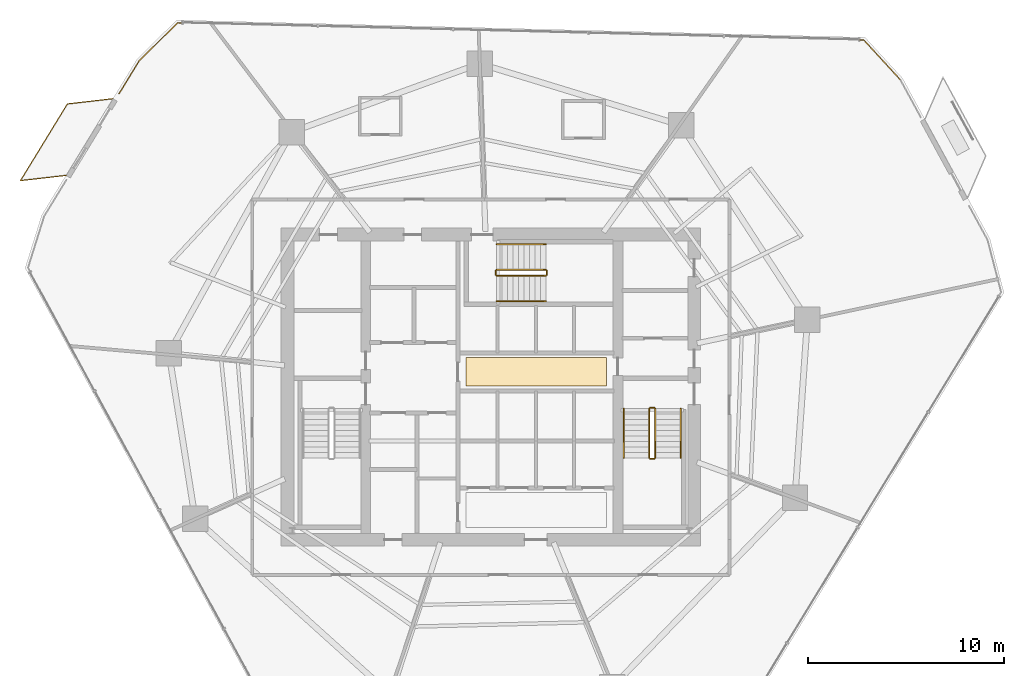
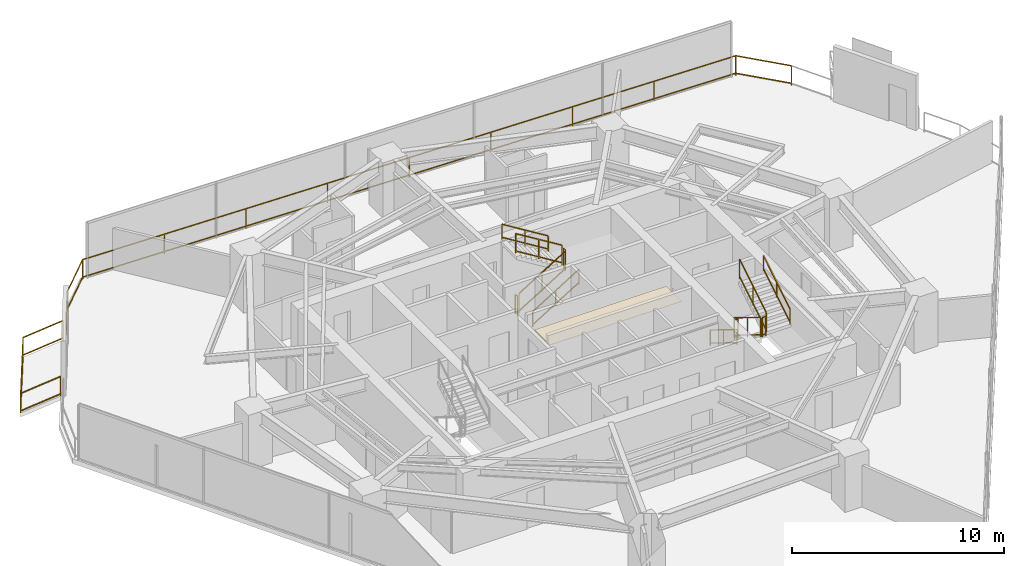
# One storey, part 29 of 30: 14 railings, 1 covering.
"""IFC4 building model written with IfcOpenShell, lengths in metres."""

from ifc_helpers import new_model, si_unit, direction, frame, origin, origin_2d, place, context, subcontext, project, spatial, rectangle, extrude, material, layer, layer_set, type_object, element, save


model = new_model("IFC4")

# Units and contexts
model_context = context("Model", 3, precision=1e-05, world=origin(), true_north=direction((0.0, 1.0)))
body_context = subcontext(model_context, "Body", "Model", "MODEL_VIEW")
ifc_project = project(units=[si_unit("LENGTHUNIT", "METRE"), si_unit("AREAUNIT", "SQUARE_METRE"), si_unit("VOLUMEUNIT", "CUBIC_METRE"), si_unit("PLANEANGLEUNIT", "RADIAN"), si_unit("MASSUNIT", "GRAM", prefix="KILO")], contexts=[model_context])

# Site, building, storey
site_placement = place(None, origin())
site = spatial("IfcSite", under=ifc_project, at=site_placement, CompositionType="ELEMENT")
building_placement = place(site_placement, origin())
building = spatial("IfcBuilding", under=site, at=building_placement, Name="Qarnah Convention Tower", CompositionType="ELEMENT")
storey_placement = place(building_placement, frame((0.0, 0.0, 61.5)))
storey = spatial("IfcBuildingStorey", under=building, at=storey_placement, Name="L15", CompositionType="ELEMENT", Elevation=61.5)

# Covering
ifc_material_1 = material(Name="Mineral fibre acoustic ceiling")
ifc_layer = layer(ifc_material_1, 0.02001953125)
ifc_layer_set = layer_set([ifc_layer], Name="Mineral fibre acoustic ceiling")
covering_type = type_object("IfcCoveringType", Name="COV-CEIL-20", PredefinedType="CEILING", material=ifc_layer_set)
covering_placement = place(storey_placement, frame((39.52001953125, 27.179931640625, 2.2900390625), z_axis=(0.0, 0.0, 1.0), x_axis=(1.0, 0.0, 0.0)))
element("IfcCovering", 1, at=covering_placement, inside=storey, type_object=covering_type, Name="L15 lift lobby acoustic ceiling", PredefinedType="CEILING", context=body_context, shape_type="SweptSolid", body=[
    extrude(rectangle(XDim=7.199951171875, YDim=1.449951171875, at=origin_2d()), origin(), (0.0, 0.0, 1.0), 0.02001953125),
])

# Railings
ifc_material_2 = material(Name="Black anodised aluminium", Category="aluminium")
railing_type_1 = type_object("IfcRailingType", Name="RL-EXT-GUARD-1150", PredefinedType="GUARDRAIL", material=ifc_material_2)
railing_1_placement = place(storey_placement, frame((18.193115234375, 41.407958984375, 0.0)))
element("IfcRailing", 2, at=railing_1_placement, inside=storey, type_object=railing_type_1, Name="L15 slab-edge perimeter safety guard 03", PredefinedType="GUARDRAIL", context=body_context, shape_type="SweptSolid", body=[
    extrude(rectangle(XDim=0.048095703125, YDim=0.048095703125, at=origin_2d()), frame((0.0, 0.0, 1.1259765625), z_axis=(0.521319897905, 0.853361332642, 0.0), x_axis=(-0.853361332642, 0.521319897905, 0.0)), (0.0, 0.0, 1.0), 1.973388671875),
    extrude(rectangle(XDim=0.048095703125, YDim=0.048095703125, at=origin_2d()), frame((0.0, 0.0, 0.1201171875), z_axis=(0.521319897905, 0.853361332642, 0.0), x_axis=(-0.853361332642, 0.521319897905, 0.0)), (0.0, 0.0, 1.0), 1.973388671875),
    extrude(rectangle(XDim=0.048095703125, YDim=0.048095703125, at=origin_2d()), frame((1.02880859375, 1.68408203125, 1.1259765625), z_axis=(0.712342599938, 0.701831903175, 0.0), x_axis=(-0.701831903175, 0.712342599938, 0.0)), (0.0, 0.0, 1.0), 2.76416015625),
    extrude(rectangle(XDim=0.048095703125, YDim=0.048095703125, at=origin_2d()), frame((1.02880859375, 1.68408203125, 0.1201171875), z_axis=(0.712342599938, 0.701831903175, 0.0), x_axis=(-0.701831903175, 0.712342599938, 0.0)), (0.0, 0.0, 1.0), 2.76416015625),
    extrude(rectangle(XDim=0.048095703125, YDim=0.048095703125, at=origin_2d()), frame((2.997802734375, 3.6240234375, 1.1259765625), z_axis=(0.999684037982, -0.025136113557, 0.0), x_axis=(0.025136113557, 0.999684037982, 0.0)), (0.0, 0.0, 1.0), 35.092041015625),
    extrude(rectangle(XDim=0.048095703125, YDim=0.048095703125, at=origin_2d()), frame((2.997802734375, 3.6240234375, 0.1201171875), z_axis=(0.999684037982, -0.025136113557, 0.0), x_axis=(0.025136113557, 0.999684037982, 0.0)), (0.0, 0.0, 1.0), 35.092041015625),
    extrude(rectangle(XDim=0.048095703125, YDim=0.048095703125, at=origin_2d()), frame((38.078857421875, 2.741943359375, 1.1259765625), z_axis=(0.676232764354, -0.736688026518, 0.0), x_axis=(0.736688026518, 0.676232764354, 0.0)), (0.0, 0.0, 1.0), 2.76220703125),
    extrude(rectangle(XDim=0.048095703125, YDim=0.048095703125, at=origin_2d()), frame((38.078857421875, 2.741943359375, 0.1201171875), z_axis=(0.676232764354, -0.736688026518, 0.0), x_axis=(0.736688026518, 0.676232764354, 0.0)), (0.0, 0.0, 1.0), 2.76220703125),
    extrude(rectangle(XDim=0.0419921875, YDim=0.0419921875, at=origin_2d()), origin(), (0.0, 0.0, 1.0), 1.101806640625),
    extrude(rectangle(XDim=0.0419921875, YDim=0.0419921875, at=origin_2d()), frame((1.02880859375, 1.68408203125, 0.0)), (0.0, 0.0, 1.0), 1.101806640625),
    extrude(rectangle(XDim=0.0419921875, YDim=0.0419921875, at=origin_2d()), frame((2.997802734375, 3.6240234375, 0.0)), (0.0, 0.0, 1.0), 1.101806640625),
    extrude(rectangle(XDim=0.0419921875, YDim=0.0419921875, at=origin_2d()), frame((7.3828125, 3.513671875, 0.0)), (0.0, 0.0, 1.0), 1.101806640625),
    extrude(rectangle(XDim=0.0419921875, YDim=0.0419921875, at=origin_2d()), frame((11.76806640625, 3.403564453125, 0.0)), (0.0, 0.0, 1.0), 1.101806640625),
    extrude(rectangle(XDim=0.0419921875, YDim=0.0419921875, at=origin_2d()), frame((16.1533203125, 3.293212890625, 0.0)), (0.0, 0.0, 1.0), 1.101806640625),
    extrude(rectangle(XDim=0.0419921875, YDim=0.0419921875, at=origin_2d()), frame((20.538330078125, 3.18310546875, 0.0)), (0.0, 0.0, 1.0), 1.101806640625),
    extrude(rectangle(XDim=0.0419921875, YDim=0.0419921875, at=origin_2d()), frame((24.92333984375, 3.07275390625, 0.0)), (0.0, 0.0, 1.0), 1.101806640625),
    extrude(rectangle(XDim=0.0419921875, YDim=0.0419921875, at=origin_2d()), frame((29.30859375, 2.96240234375, 0.0)), (0.0, 0.0, 1.0), 1.101806640625),
    extrude(rectangle(XDim=0.0419921875, YDim=0.0419921875, at=origin_2d()), frame((33.69384765625, 2.852294921875, 0.0)), (0.0, 0.0, 1.0), 1.101806640625),
    extrude(rectangle(XDim=0.0419921875, YDim=0.0419921875, at=origin_2d()), frame((38.078857421875, 2.741943359375, 0.0)), (0.0, 0.0, 1.0), 1.101806640625),
    extrude(rectangle(XDim=0.0419921875, YDim=0.0419921875, at=origin_2d()), frame((39.94677734375, 0.70703125, 0.0)), (0.0, 0.0, 1.0), 1.101806640625),
])
railing_2_placement = place(storey_placement, frame((15.47802734375, 37.22607421875, 0.0)))
element("IfcRailing", 3, at=railing_2_placement, inside=storey, type_object=railing_type_1, Name="L15 balcony safety guard BAL-L15-C2", PredefinedType="GUARDRAIL", context=body_context, shape_type="SweptSolid", body=[
    extrude(rectangle(XDim=0.048095703125, YDim=0.048095703125, at=origin_2d()), frame((0.0, 0.0, 1.1259765625), z_axis=(-0.993463460122, -0.114150573379, 0.0), x_axis=(0.114150573379, -0.993463460122, 0.0)), (0.0, 0.0, 1.0), 2.348388671875),
    extrude(rectangle(XDim=0.048095703125, YDim=0.048095703125, at=origin_2d()), frame((0.0, 0.0, 0.1201171875), z_axis=(-0.993463460122, -0.114150573379, 0.0), x_axis=(0.114150573379, -0.993463460122, 0.0)), (0.0, 0.0, 1.0), 2.348388671875),
    extrude(rectangle(XDim=0.048095703125, YDim=0.048095703125, at=origin_2d()), frame((-2.3330078125, -0.26806640625, 1.1259765625), z_axis=(0.521744106966, 0.853102037769, 0.0), x_axis=(-0.853102037769, 0.521744106966, 0.0)), (0.0, 0.0, 1.0), 4.599853515625),
    extrude(rectangle(XDim=0.048095703125, YDim=0.048095703125, at=origin_2d()), frame((-2.3330078125, -0.26806640625, 0.1201171875), z_axis=(0.521744106966, 0.853102037769, 0.0), x_axis=(-0.853102037769, 0.521744106966, 0.0)), (0.0, 0.0, 1.0), 4.599853515625),
    extrude(rectangle(XDim=0.048095703125, YDim=0.048095703125, at=origin_2d()), frame((0.06689453125, 3.656005859375, 1.1259765625), z_axis=(0.993469832403, 0.114095101146, 0.0), x_axis=(-0.114095101146, 0.993469832403, 0.0)), (0.0, 0.0, 1.0), 2.347412109375),
    extrude(rectangle(XDim=0.048095703125, YDim=0.048095703125, at=origin_2d()), frame((0.06689453125, 3.656005859375, 0.1201171875), z_axis=(0.993469832403, 0.114095101146, 0.0), x_axis=(-0.114095101146, 0.993469832403, 0.0)), (0.0, 0.0, 1.0), 2.347412109375),
    extrude(rectangle(XDim=0.0419921875, YDim=0.0419921875, at=origin_2d()), origin(), (0.0, 0.0, 1.0), 1.101806640625),
    extrude(rectangle(XDim=0.0419921875, YDim=0.0419921875, at=origin_2d()), frame((-2.3330078125, -0.26806640625, 0.0)), (0.0, 0.0, 1.0), 1.101806640625),
    extrude(rectangle(XDim=0.0419921875, YDim=0.0419921875, at=origin_2d()), frame((-1.133056640625, 1.69384765625, 0.0)), (0.0, 0.0, 1.0), 1.101806640625),
    extrude(rectangle(XDim=0.0419921875, YDim=0.0419921875, at=origin_2d()), frame((0.06689453125, 3.656005859375, 0.0)), (0.0, 0.0, 1.0), 1.101806640625),
    extrude(rectangle(XDim=0.0419921875, YDim=0.0419921875, at=origin_2d()), frame((2.39892578125, 3.923828125, 0.0)), (0.0, 0.0, 1.0), 1.101806640625),
])
ifc_material_3 = material(Name="Structural steel S355JR", Category="steel")
railing_type_2 = type_object("IfcRailingType", Name="RL-STAIR-GUARD-1150", PredefinedType="GUARDRAIL", material=ifc_material_3)
railing_3_placement = place(storey_placement, frame((45.300048828125, 25.300048828125, 0.172607421875)))
element("IfcRailing", 4, at=railing_3_placement, inside=storey, type_object=railing_type_2, Name="L15 ST-2 stair guard 1", PredefinedType="GUARDRAIL", context=body_context, shape_type="SweptSolid", body=[
    extrude(rectangle(XDim=0.048095703125, YDim=0.048095703125, at=origin_2d()), frame((0.0, 0.0, 1.1259765625), z_axis=(0.0, -0.851400495292, 0.524516154772), x_axis=(1.0, 0.0, 0.0)), (0.0, 0.0, 1.0), 2.9599609375),
    extrude(rectangle(XDim=0.048095703125, YDim=0.048095703125, at=origin_2d()), frame((0.0, 0.0, 0.1201171875), z_axis=(0.0, -0.851400495292, 0.524516154772), x_axis=(1.0, 0.0, 0.0)), (0.0, 0.0, 1.0), 2.9599609375),
    extrude(rectangle(XDim=0.0419921875, YDim=0.0419921875, at=origin_2d()), origin(), (0.0, 0.0, 1.0), 1.101806640625),
    extrude(rectangle(XDim=0.0419921875, YDim=0.0419921875, at=origin_2d()), frame((0.0, -1.260009765625, 0.7763671875)), (0.0, 0.0, 1.0), 1.101806640625),
    extrude(rectangle(XDim=0.0419921875, YDim=0.0419921875, at=origin_2d()), frame((0.0, -2.52001953125, 1.552490234375)), (0.0, 0.0, 1.0), 1.101806640625),
])
railing_4_placement = place(storey_placement, frame((45.35009765625, 22.72998046875, 1.72509765625)))
element("IfcRailing", 5, at=railing_4_placement, inside=storey, type_object=railing_type_2, Name="L15 ST-2 stair guard 2", PredefinedType="GUARDRAIL", context=body_context, shape_type="SweptSolid", body=[
    extrude(rectangle(XDim=0.048095703125, YDim=0.048095703125, at=origin_2d()), frame((0.0, 0.0, 1.1259765625), z_axis=(1.0, 0.0, 0.0), x_axis=(0.0, 1.0, 0.0)), (0.0, 0.0, 1.0), 0.199951171875),
    extrude(rectangle(XDim=0.048095703125, YDim=0.048095703125, at=origin_2d()), frame((0.0, 0.0, 0.1201171875), z_axis=(1.0, 0.0, 0.0), x_axis=(0.0, 1.0, 0.0)), (0.0, 0.0, 1.0), 0.199951171875),
    extrude(rectangle(XDim=0.0419921875, YDim=0.0419921875, at=origin_2d()), origin(), (0.0, 0.0, 1.0), 1.101806640625),
    extrude(rectangle(XDim=0.0419921875, YDim=0.0419921875, at=origin_2d()), frame((0.199951171875, 0.0, 0.0)), (0.0, 0.0, 1.0), 1.101806640625),
])
railing_5_placement = place(storey_placement, frame((45.60009765625, 22.780029296875, 1.8974609375)))
element("IfcRailing", 6, at=railing_5_placement, inside=storey, type_object=railing_type_2, Name="L15 ST-2 stair guard 3", PredefinedType="GUARDRAIL", context=body_context, shape_type="SweptSolid", body=[
    extrude(rectangle(XDim=0.048095703125, YDim=0.048095703125, at=origin_2d()), frame((0.0, 0.0, 1.1259765625), z_axis=(0.0, 0.851400495292, 0.524516154772), x_axis=(-1.0, 0.0, 0.0)), (0.0, 0.0, 1.0), 2.9599609375),
    extrude(rectangle(XDim=0.048095703125, YDim=0.048095703125, at=origin_2d()), frame((0.0, 0.0, 0.1201171875), z_axis=(0.0, 0.851400495292, 0.524516154772), x_axis=(-1.0, 0.0, 0.0)), (0.0, 0.0, 1.0), 2.9599609375),
    extrude(rectangle(XDim=0.0419921875, YDim=0.0419921875, at=origin_2d()), origin(), (0.0, 0.0, 1.0), 1.101806640625),
    extrude(rectangle(XDim=0.0419921875, YDim=0.0419921875, at=origin_2d()), frame((0.0, 1.260009765625, 0.7763671875)), (0.0, 0.0, 1.0), 1.101806640625),
    extrude(rectangle(XDim=0.0419921875, YDim=0.0419921875, at=origin_2d()), frame((0.0, 2.52001953125, 1.552490234375)), (0.0, 0.0, 1.0), 1.101806640625),
])
railing_6_placement = place(storey_placement, frame((45.35009765625, 25.35009765625, 0.0)))
element("IfcRailing", 7, at=railing_6_placement, inside=storey, type_object=railing_type_2, Name="L15 ST-2 stair guard 4", PredefinedType="GUARDRAIL", context=body_context, shape_type="SweptSolid", body=[
    extrude(rectangle(XDim=0.048095703125, YDim=0.048095703125, at=origin_2d()), frame((0.0, 0.0, 1.1259765625), z_axis=(1.0, 0.0, 0.0), x_axis=(0.0, 1.0, 0.0)), (0.0, 0.0, 1.0), 0.199951171875),
    extrude(rectangle(XDim=0.048095703125, YDim=0.048095703125, at=origin_2d()), frame((0.0, 0.0, 0.1201171875), z_axis=(1.0, 0.0, 0.0), x_axis=(0.0, 1.0, 0.0)), (0.0, 0.0, 1.0), 0.199951171875),
    extrude(rectangle(XDim=0.0419921875, YDim=0.0419921875, at=origin_2d()), origin(), (0.0, 0.0, 1.0), 1.101806640625),
    extrude(rectangle(XDim=0.0419921875, YDim=0.0419921875, at=origin_2d()), frame((0.199951171875, 0.0, 0.0)), (0.0, 0.0, 1.0), 1.101806640625),
])
railing_7_placement = place(storey_placement, frame((37.5, 32.10009765625, 0.172607421875)))
element("IfcRailing", 8, at=railing_7_placement, inside=storey, type_object=railing_type_2, Name="L15 ST-3 stair guard 1", PredefinedType="GUARDRAIL", context=body_context, shape_type="SweptSolid", body=[
    extrude(rectangle(XDim=0.048095703125, YDim=0.048095703125, at=origin_2d()), frame((0.0, 0.0, 1.1259765625), z_axis=(0.851400495292, 0.0, 0.524516154772), x_axis=(0.0, 1.0, 0.0)), (0.0, 0.0, 1.0), 2.9599609375),
    extrude(rectangle(XDim=0.048095703125, YDim=0.048095703125, at=origin_2d()), frame((0.0, 0.0, 0.1201171875), z_axis=(0.851400495292, 0.0, 0.524516154772), x_axis=(0.0, 1.0, 0.0)), (0.0, 0.0, 1.0), 2.9599609375),
    extrude(rectangle(XDim=0.0419921875, YDim=0.0419921875, at=origin_2d()), origin(), (0.0, 0.0, 1.0), 1.101806640625),
    extrude(rectangle(XDim=0.0419921875, YDim=0.0419921875, at=origin_2d()), frame((1.260009765625, 0.0, 0.7763671875)), (0.0, 0.0, 1.0), 1.101806640625),
    extrude(rectangle(XDim=0.0419921875, YDim=0.0419921875, at=origin_2d()), frame((2.52001953125, 0.0, 1.552490234375)), (0.0, 0.0, 1.0), 1.101806640625),
])
railing_8_placement = place(storey_placement, frame((40.070068359375, 32.14990234375, 1.72509765625)))
element("IfcRailing", 9, at=railing_8_placement, inside=storey, type_object=railing_type_2, Name="L15 ST-3 stair guard 2", PredefinedType="GUARDRAIL", context=body_context, shape_type="SweptSolid", body=[
    extrude(rectangle(XDim=0.048095703125, YDim=0.048095703125, at=origin_2d()), frame((0.0, 0.0, 1.1259765625), z_axis=(0.0, 1.0, 0.0), x_axis=(-1.0, 0.0, 0.0)), (0.0, 0.0, 1.0), 0.2001953125),
    extrude(rectangle(XDim=0.048095703125, YDim=0.048095703125, at=origin_2d()), frame((0.0, 0.0, 0.1201171875), z_axis=(0.0, 1.0, 0.0), x_axis=(-1.0, 0.0, 0.0)), (0.0, 0.0, 1.0), 0.2001953125),
    extrude(rectangle(XDim=0.0419921875, YDim=0.0419921875, at=origin_2d()), origin(), (0.0, 0.0, 1.0), 1.101806640625),
    extrude(rectangle(XDim=0.0419921875, YDim=0.0419921875, at=origin_2d()), frame((0.0, 0.2001953125, 0.0)), (0.0, 0.0, 1.0), 1.101806640625),
])
railing_9_placement = place(storey_placement, frame((40.02001953125, 32.39990234375, 1.8974609375)))
element("IfcRailing", 10, at=railing_9_placement, inside=storey, type_object=railing_type_2, Name="L15 ST-3 stair guard 3", PredefinedType="GUARDRAIL", context=body_context, shape_type="SweptSolid", body=[
    extrude(rectangle(XDim=0.048095703125, YDim=0.048095703125, at=origin_2d()), frame((0.0, 0.0, 1.1259765625), z_axis=(-0.851400495292, 0.0, 0.524516154772), x_axis=(0.0, -1.0, 0.0)), (0.0, 0.0, 1.0), 2.9599609375),
    extrude(rectangle(XDim=0.048095703125, YDim=0.048095703125, at=origin_2d()), frame((0.0, 0.0, 0.1201171875), z_axis=(-0.851400495292, 0.0, 0.524516154772), x_axis=(0.0, -1.0, 0.0)), (0.0, 0.0, 1.0), 2.9599609375),
    extrude(rectangle(XDim=0.0419921875, YDim=0.0419921875, at=origin_2d()), origin(), (0.0, 0.0, 1.0), 1.101806640625),
    extrude(rectangle(XDim=0.0419921875, YDim=0.0419921875, at=origin_2d()), frame((-1.260009765625, 0.0, 0.7763671875)), (0.0, 0.0, 1.0), 1.101806640625),
    extrude(rectangle(XDim=0.0419921875, YDim=0.0419921875, at=origin_2d()), frame((-2.52001953125, 0.0, 1.552490234375)), (0.0, 0.0, 1.0), 1.101806640625),
])
railing_10_placement = place(storey_placement, frame((37.449951171875, 32.14990234375, 0.0)))
element("IfcRailing", 11, at=railing_10_placement, inside=storey, type_object=railing_type_2, Name="L15 ST-3 stair guard 4", PredefinedType="GUARDRAIL", context=body_context, shape_type="SweptSolid", body=[
    extrude(rectangle(XDim=0.048095703125, YDim=0.048095703125, at=origin_2d()), frame((0.0, 0.0, 1.1259765625), z_axis=(0.0, 1.0, 0.0), x_axis=(-1.0, 0.0, 0.0)), (0.0, 0.0, 1.0), 0.2001953125),
    extrude(rectangle(XDim=0.048095703125, YDim=0.048095703125, at=origin_2d()), frame((0.0, 0.0, 0.1201171875), z_axis=(0.0, 1.0, 0.0), x_axis=(-1.0, 0.0, 0.0)), (0.0, 0.0, 1.0), 0.2001953125),
    extrude(rectangle(XDim=0.0419921875, YDim=0.0419921875, at=origin_2d()), origin(), (0.0, 0.0, 1.0), 1.101806640625),
    extrude(rectangle(XDim=0.0419921875, YDim=0.0419921875, at=origin_2d()), frame((0.0, 0.2001953125, 0.0)), (0.0, 0.0, 1.0), 1.101806640625),
])
railing_type_3 = type_object("IfcRailingType", Name="RL-STAIR-HAND-900", PredefinedType="HANDRAIL", material=ifc_material_3)
railing_11_placement = place(storey_placement, frame((44.0, 25.300048828125, 0.172607421875)))
element("IfcRailing", 12, at=railing_11_placement, inside=storey, type_object=railing_type_3, Name="L15 ST-2 stair handrail 1", PredefinedType="HANDRAIL", context=body_context, shape_type="SweptSolid", body=[
    extrude(rectangle(XDim=0.048095703125, YDim=0.048095703125, at=origin_2d()), frame((0.0, 0.0, 0.8759765625), z_axis=(0.0, -0.851400495292, 0.524516154772), x_axis=(1.0, 0.0, 0.0)), (0.0, 0.0, 1.0), 2.9599609375),
    extrude(rectangle(XDim=0.048095703125, YDim=0.048095703125, at=origin_2d()), frame((0.0, 0.0, 0.1201171875), z_axis=(0.0, -0.851400495292, 0.524516154772), x_axis=(1.0, 0.0, 0.0)), (0.0, 0.0, 1.0), 2.9599609375),
    extrude(rectangle(XDim=0.0419921875, YDim=0.0419921875, at=origin_2d()), origin(), (0.0, 0.0, 1.0), 0.851806640625),
    extrude(rectangle(XDim=0.0419921875, YDim=0.0419921875, at=origin_2d()), frame((0.0, -1.260009765625, 0.7763671875)), (0.0, 0.0, 1.0), 0.851806640625),
    extrude(rectangle(XDim=0.0419921875, YDim=0.0419921875, at=origin_2d()), frame((0.0, -2.52001953125, 1.552490234375)), (0.0, 0.0, 1.0), 0.851806640625),
])
railing_12_placement = place(storey_placement, frame((46.89990234375, 22.780029296875, 1.8974609375)))
element("IfcRailing", 13, at=railing_12_placement, inside=storey, type_object=railing_type_3, Name="L15 ST-2 stair handrail 2", PredefinedType="HANDRAIL", context=body_context, shape_type="SweptSolid", body=[
    extrude(rectangle(XDim=0.048095703125, YDim=0.048095703125, at=origin_2d()), frame((0.0, 0.0, 0.8759765625), z_axis=(0.0, 0.851400495292, 0.524516154772), x_axis=(-1.0, 0.0, 0.0)), (0.0, 0.0, 1.0), 2.9599609375),
    extrude(rectangle(XDim=0.048095703125, YDim=0.048095703125, at=origin_2d()), frame((0.0, 0.0, 0.1201171875), z_axis=(0.0, 0.851400495292, 0.524516154772), x_axis=(-1.0, 0.0, 0.0)), (0.0, 0.0, 1.0), 2.9599609375),
    extrude(rectangle(XDim=0.0419921875, YDim=0.0419921875, at=origin_2d()), origin(), (0.0, 0.0, 1.0), 0.851806640625),
    extrude(rectangle(XDim=0.0419921875, YDim=0.0419921875, at=origin_2d()), frame((0.0, 1.260009765625, 0.7763671875)), (0.0, 0.0, 1.0), 0.851806640625),
    extrude(rectangle(XDim=0.0419921875, YDim=0.0419921875, at=origin_2d()), frame((0.0, 2.52001953125, 1.552490234375)), (0.0, 0.0, 1.0), 0.851806640625),
])
railing_13_placement = place(storey_placement, frame((37.5, 30.800048828125, 0.172607421875)))
element("IfcRailing", 14, at=railing_13_placement, inside=storey, type_object=railing_type_3, Name="L15 ST-3 stair handrail 1", PredefinedType="HANDRAIL", context=body_context, shape_type="SweptSolid", body=[
    extrude(rectangle(XDim=0.048095703125, YDim=0.048095703125, at=origin_2d()), frame((0.0, 0.0, 0.8759765625), z_axis=(0.851400495292, 0.0, 0.524516154772), x_axis=(0.0, 1.0, 0.0)), (0.0, 0.0, 1.0), 2.9599609375),
    extrude(rectangle(XDim=0.048095703125, YDim=0.048095703125, at=origin_2d()), frame((0.0, 0.0, 0.1201171875), z_axis=(0.851400495292, 0.0, 0.524516154772), x_axis=(0.0, 1.0, 0.0)), (0.0, 0.0, 1.0), 2.9599609375),
    extrude(rectangle(XDim=0.0419921875, YDim=0.0419921875, at=origin_2d()), origin(), (0.0, 0.0, 1.0), 0.851806640625),
    extrude(rectangle(XDim=0.0419921875, YDim=0.0419921875, at=origin_2d()), frame((1.260009765625, 0.0, 0.7763671875)), (0.0, 0.0, 1.0), 0.851806640625),
    extrude(rectangle(XDim=0.0419921875, YDim=0.0419921875, at=origin_2d()), frame((2.52001953125, 0.0, 1.552490234375)), (0.0, 0.0, 1.0), 0.851806640625),
])
railing_14_placement = place(storey_placement, frame((40.02001953125, 33.699951171875, 1.8974609375)))
element("IfcRailing", 15, at=railing_14_placement, inside=storey, type_object=railing_type_3, Name="L15 ST-3 stair handrail 2", PredefinedType="HANDRAIL", context=body_context, shape_type="SweptSolid", body=[
    extrude(rectangle(XDim=0.048095703125, YDim=0.048095703125, at=origin_2d()), frame((0.0, 0.0, 0.8759765625), z_axis=(-0.851400495292, 0.0, 0.524516154772), x_axis=(0.0, -1.0, 0.0)), (0.0, 0.0, 1.0), 2.9599609375),
    extrude(rectangle(XDim=0.048095703125, YDim=0.048095703125, at=origin_2d()), frame((0.0, 0.0, 0.1201171875), z_axis=(-0.851400495292, 0.0, 0.524516154772), x_axis=(0.0, -1.0, 0.0)), (0.0, 0.0, 1.0), 2.9599609375),
    extrude(rectangle(XDim=0.0419921875, YDim=0.0419921875, at=origin_2d()), origin(), (0.0, 0.0, 1.0), 0.851806640625),
    extrude(rectangle(XDim=0.0419921875, YDim=0.0419921875, at=origin_2d()), frame((-1.260009765625, 0.0, 0.7763671875)), (0.0, 0.0, 1.0), 0.851806640625),
    extrude(rectangle(XDim=0.0419921875, YDim=0.0419921875, at=origin_2d()), frame((-2.52001953125, 0.0, 1.552490234375)), (0.0, 0.0, 1.0), 0.851806640625),
])

save(model, "model.ifc")
